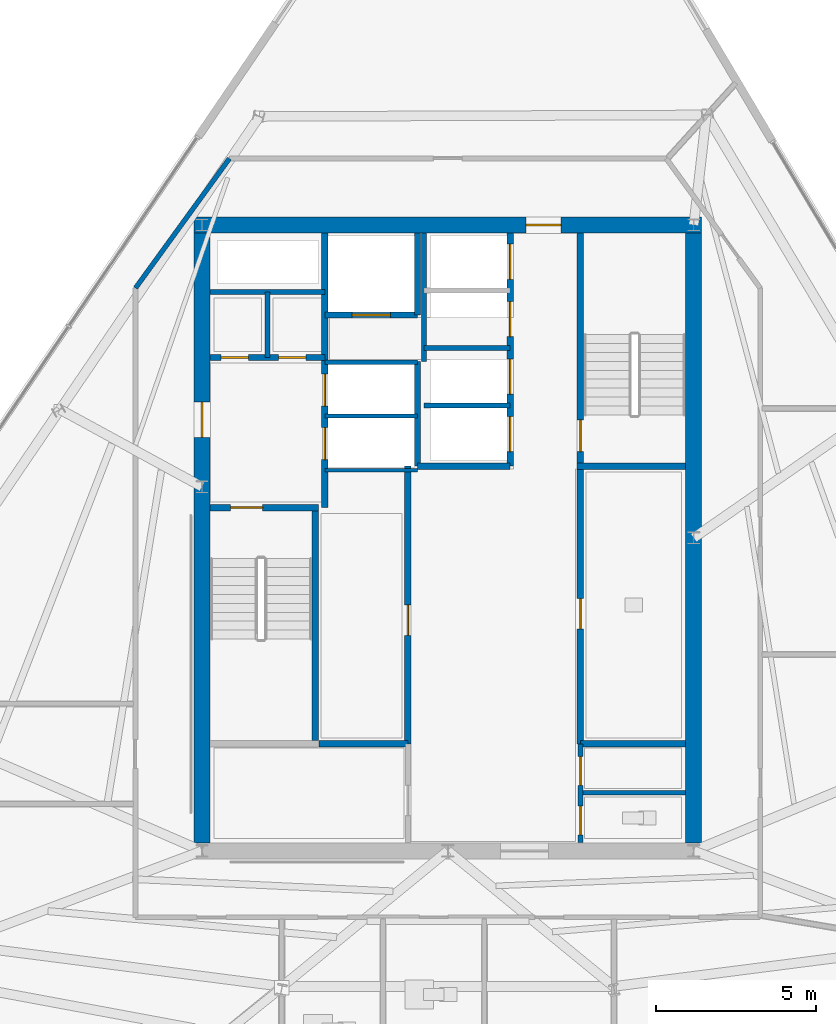
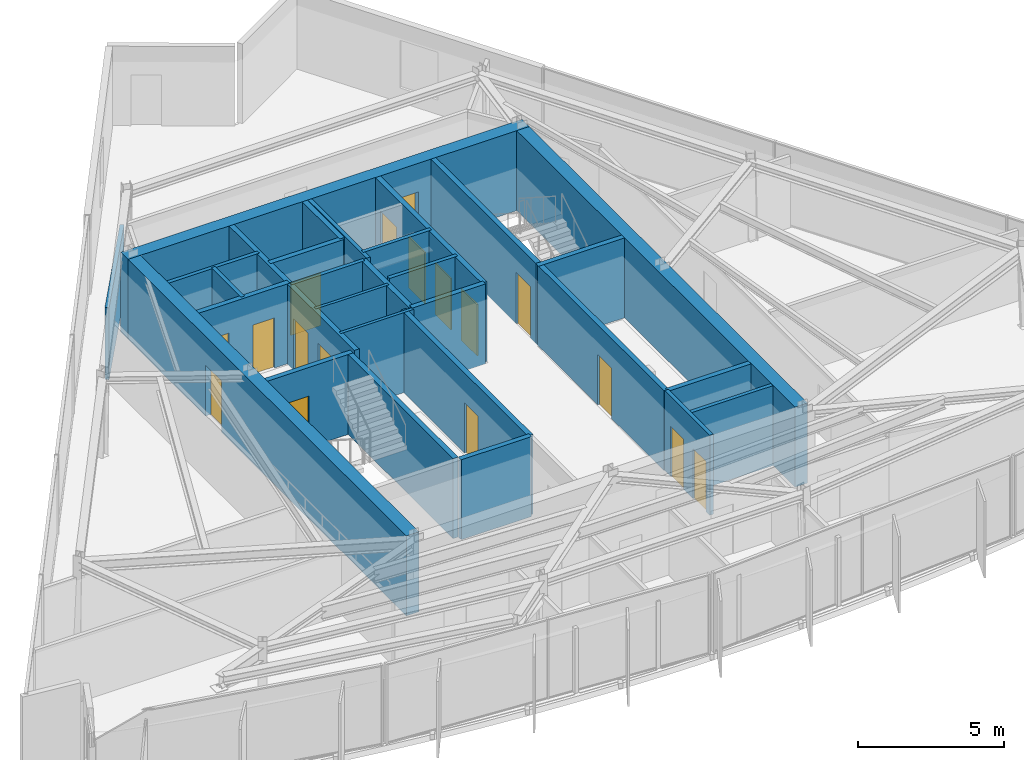
# One storey, part 7 of 12: 29 walls, 17 doors, 17 openings.
"""IFC4 building model written with IfcOpenShell, lengths in metres."""

from ifc_helpers import new_model, si_unit, direction, frame, frame_2d, origin, place, context, subcontext, project, spatial, rectangle, extrude, material, layer, layer_set, type_object, element, fill, save


model = new_model("IFC4")

# Units and contexts
model_context = context("Model", 3, precision=1e-05, world=origin(), true_north=direction((0.0, 1.0)))
body_context = subcontext(model_context, "Body", "Model", "MODEL_VIEW")
ifc_project = project(units=[si_unit("LENGTHUNIT", "METRE"), si_unit("AREAUNIT", "SQUARE_METRE"), si_unit("VOLUMEUNIT", "CUBIC_METRE"), si_unit("PLANEANGLEUNIT", "RADIAN"), si_unit("MASSUNIT", "GRAM", prefix="KILO")], contexts=[model_context])

# Site, building, storey
site_placement = place(None, origin())
site = spatial("IfcSite", under=ifc_project, at=site_placement, CompositionType="ELEMENT")
building_placement = place(site_placement, origin())
building = spatial("IfcBuilding", under=site, at=building_placement, Name="Savorim Split Tower", CompositionType="ELEMENT")
storey_placement = place(building_placement, frame((0.0, 0.0, 268.800048828125)))
storey = spatial("IfcBuildingStorey", under=building, at=storey_placement, Name="L71", CompositionType="ELEMENT", Elevation=268.800048828125)

# Wall, opening, door
ifc_material_1 = material(Name="Concrete C60/75", Category="concrete")
ifc_layer_1 = layer(ifc_material_1, 0.5)
ifc_layer_set_1 = layer_set([ifc_layer_1], Name="WAL-COR-SH500")
wall_type_1 = type_object("IfcWallType", Name="WAL-COR-SH500", PredefinedType="SHEAR", material=ifc_layer_set_1)
wall_1_placement = place(storey_placement, frame((7.949951171875, 10.199951171875, 0.0), z_axis=(0.0, 0.0, 1.0), x_axis=(-1.0, 0.0, 0.0)))
wall_1 = element("IfcWall", 1, at=wall_1_placement, inside=storey, type_object=wall_type_1, Name="L71 Offset Core North Shear Wall", PredefinedType="SHEAR", context=body_context, shape_type="SweptSolid", body=[
    extrude(rectangle(XDim=15.89990234375, YDim=0.5, at=frame_2d((7.949951171875, 0.0))), origin(), (0.0, 0.0, 1.0), 3.349853515625),
])
opening_1_placement = place(wall_1_placement, frame((4.39990234375, 0.0, 0.0)))
opening_1 = element("IfcOpeningElement", 2, at=opening_1_placement, cuts=wall_1, Name="Opening DI-03", PredefinedType="OPENING", context=body_context, shape_type="SweptSolid", body=[
    extrude(rectangle(XDim=1.10009765625, YDim=2.14990234375, at=frame_2d((0.550048828125, 1.074951171875))), frame((0.0, 0.260009765625, 0.0), z_axis=(0.0, -1.0, 0.0), x_axis=(1.0, 0.0, 0.0)), (0.0, 0.0, 1.0), 0.52001953125),
])
ifc_material_2 = material(Name="Timber Fire Door Leaf", Category="wood")
door_type_1 = type_object("IfcDoorType", Name="DOR-FIR-1100", OperationType="NOTDEFINED", PredefinedType="DOOR", material=ifc_material_2)
door_1_placement = place(opening_1_placement, origin())
door_1 = element("IfcDoor", 3, at=door_1_placement, inside=storey, type_object=door_type_1, Name="DOR-L71-COR-NLOB - L71 North Corridor Lobby Fire Door", OperationType="SINGLE_SWING_RIGHT", OverallHeight=2.14990234375, OverallWidth=1.10009765625, PredefinedType="DOOR", context=body_context, shape_type="SweptSolid", body=[
    extrude(rectangle(XDim=1.10009765625, YDim=2.14990234375, at=frame_2d((0.550048828125, 1.074951171875))), frame((0.0, 0.02490234375, 0.0), z_axis=(0.0, -1.0, 0.0), x_axis=(1.0, 0.0, 0.0)), (0.0, 0.0, 1.0), 0.050048828125),
])
fill(opening_1, door_1)

wall_2_placement = place(storey_placement, frame((-7.699951171875, -9.14990234375, 0.0), z_axis=(0.0, 0.0, 1.0), x_axis=(0.0, 1.0, 0.0)))
wall_2 = element("IfcWall", 4, at=wall_2_placement, inside=storey, type_object=wall_type_1, Name="L71 Offset Core West Shear Wall", PredefinedType="SHEAR", context=body_context, shape_type="SweptSolid", body=[
    extrude(rectangle(XDim=19.099853515625, YDim=0.5, at=frame_2d((9.5498046875, 0.0))), origin(), (0.0, 0.0, 1.0), 3.349853515625),
])
opening_2_placement = place(wall_2_placement, frame((12.699951171875, 0.0, 0.0)))
opening_2 = element("IfcOpeningElement", 5, at=opening_2_placement, cuts=wall_2, Name="Opening DI-03", PredefinedType="OPENING", context=body_context, shape_type="SweptSolid", body=[
    extrude(rectangle(XDim=1.10009765625, YDim=2.14990234375, at=frame_2d((0.550048828125, 1.074951171875))), frame((0.0, 0.260009765625, 0.0), z_axis=(0.0, -1.0, 0.0), x_axis=(1.0, 0.0, 0.0)), (0.0, 0.0, 1.0), 0.52001953125),
])
door_2_placement = place(opening_2_placement, origin())
door_2 = element("IfcDoor", 6, at=door_2_placement, inside=storey, type_object=door_type_1, Name="DOR-L71-COR-FFLOB - L71 Firefighting Lobby Corridor Door", OperationType="SINGLE_SWING_LEFT", OverallHeight=2.14990234375, OverallWidth=1.10009765625, PredefinedType="DOOR", context=body_context, shape_type="SweptSolid", body=[
    extrude(rectangle(XDim=1.10009765625, YDim=2.14990234375, at=frame_2d((0.550048828125, 1.074951171875))), frame((0.0, 0.02490234375, 0.0), z_axis=(0.0, -1.0, 0.0), x_axis=(1.0, 0.0, 0.0)), (0.0, 0.0, 1.0), 0.050048828125),
])
fill(opening_2, door_2)

# Wall
wall_3_placement = place(storey_placement, frame((7.699951171875, 9.949951171875, 0.0), z_axis=(0.0, 0.0, 1.0), x_axis=(0.0, -1.0, 0.0)))
element("IfcWall", 7, at=wall_3_placement, inside=storey, type_object=wall_type_1, Name="L71 Offset Core East Shear Wall", PredefinedType="SHEAR", context=body_context, shape_type="SweptSolid", body=[
    extrude(rectangle(XDim=19.099853515625, YDim=0.5, at=frame_2d((9.5498046875, 0.0))), origin(), (0.0, 0.0, 1.0), 3.349853515625),
])

# Wall, opening, door
ifc_material_3 = material(Name="Concrete C50/60", Category="concrete")
ifc_layer_2 = layer(ifc_material_3, 0.199951171875)
ifc_layer_set_2 = layer_set([ifc_layer_2], Name="WAL-INT-RC200")
wall_type_2 = type_object("IfcWallType", Name="WAL-INT-RC200", PredefinedType="SOLIDWALL", material=ifc_layer_set_2)
wall_4_placement = place(storey_placement, frame((-7.449951171875, 1.35009765625, 0.0), z_axis=(0.0, 0.0, 1.0), x_axis=(1.0, 0.0, 0.0)))
wall_4 = element("IfcWall", 8, at=wall_4_placement, inside=storey, type_object=wall_type_2, Name="L71 Structural Shaft Wall W-L71-CR01", PredefinedType="SOLIDWALL", context=body_context, shape_type="SweptSolid", body=[
    extrude(rectangle(XDim=3.39990234375, YDim=0.199951171875, at=frame_2d((1.699951171875, 0.0))), origin(), (0.0, 0.0, 1.0), 3.349853515625),
])
opening_3_placement = place(wall_4_placement, frame((0.64990234375, 0.0, 0.0)))
opening_3 = element("IfcOpeningElement", 9, at=opening_3_placement, cuts=wall_4, Name="Opening DI-04", PredefinedType="OPENING", context=body_context, shape_type="SweptSolid", body=[
    extrude(rectangle(XDim=1.0, YDim=2.14990234375, at=frame_2d((0.5, 1.074951171875))), frame((0.0, 0.10986328125, 0.0), z_axis=(0.0, -1.0, 0.0), x_axis=(1.0, 0.0, 0.0)), (0.0, 0.0, 1.0), 0.219970703125),
])
door_type_2 = type_object("IfcDoorType", Name="DOR-FIR-1000", OperationType="NOTDEFINED", PredefinedType="DOOR", material=ifc_material_2)
door_3_placement = place(opening_3_placement, origin())
door_3 = element("IfcDoor", 10, at=door_3_placement, inside=storey, type_object=door_type_2, Name="DR-L71-ST1 - L71 Stair ST-1 Enclosure Door", OperationType="SINGLE_SWING_LEFT", OverallHeight=2.14990234375, OverallWidth=1.0, PredefinedType="DOOR", context=body_context, shape_type="SweptSolid", body=[
    extrude(rectangle(XDim=1.0, YDim=2.14990234375, at=frame_2d((0.5, 1.074951171875))), frame((0.0, 0.02490234375, 0.0), z_axis=(0.0, -1.0, 0.0), x_axis=(1.0, 0.0, 0.0)), (0.0, 0.0, 1.0), 0.050048828125),
])
fill(opening_3, door_3)

# Wall
wall_5_placement = place(storey_placement, frame((-4.14990234375, -5.949951171875, 0.0), z_axis=(0.0, 0.0, 1.0), x_axis=(0.0, 1.0, 0.0)))
element("IfcWall", 11, at=wall_5_placement, inside=storey, type_object=wall_type_2, Name="L71 Structural Shaft Wall W-L71-CR02", PredefinedType="SOLIDWALL", context=body_context, shape_type="SweptSolid", body=[
    extrude(rectangle(XDim=7.199951171875, YDim=0.199951171875, at=frame_2d((3.60009765625, 0.0))), origin(), (0.0, 0.0, 1.0), 3.349853515625),
])

# Wall, openings, doors
wall_6_placement = place(storey_placement, frame((-3.85009765625, 1.35009765625, 0.0), z_axis=(0.0, 0.0, 1.0), x_axis=(0.0, 1.0, 0.0)))
wall_6 = element("IfcWall", 12, at=wall_6_placement, inside=storey, type_object=wall_type_2, Name="L71 Partition W-L71-CR03", PredefinedType="SOLIDWALL", context=body_context, shape_type="SweptSolid", body=[
    extrude(rectangle(XDim=8.594970703125, YDim=0.199951171875, at=frame_2d((4.29736328125, 0.0))), origin(), (0.0, 0.0, 1.0), 3.349853515625),
])
opening_4_placement = place(wall_6_placement, frame((1.5, 0.0, 0.0)))
opening_4 = element("IfcOpeningElement", 13, at=opening_4_placement, cuts=wall_6, Name="Opening LD-FFL", PredefinedType="OPENING", context=body_context, shape_type="SweptSolid", body=[
    extrude(rectangle(XDim=1.0, YDim=2.14990234375, at=frame_2d((0.5, 1.074951171875))), frame((0.0, 0.10986328125, 0.0), z_axis=(0.0, -1.0, 0.0), x_axis=(1.0, 0.0, 0.0)), (0.0, 0.0, 1.0), 0.219970703125),
])
opening_5_placement = place(wall_6_placement, frame((3.179931640625, 0.0, 0.0)))
opening_5 = element("IfcOpeningElement", 14, at=opening_5_placement, cuts=wall_6, Name="Opening LD-FFL", PredefinedType="OPENING", context=body_context, shape_type="SweptSolid", body=[
    extrude(rectangle(XDim=1.0, YDim=2.14990234375, at=frame_2d((0.5, 1.074951171875))), frame((0.0, 0.10986328125, 0.0), z_axis=(0.0, -1.0, 0.0), x_axis=(1.0, 0.0, 0.0)), (0.0, 0.0, 1.0), 0.219970703125),
])
ifc_material_4 = material(Name="Charcoal Anodised Aluminium", Category="aluminium")
door_type_3 = type_object("IfcDoorType", Name="DOR-SLD-LD1000", OperationType="NOTDEFINED", PredefinedType="DOOR", material=ifc_material_4)
door_4_placement = place(opening_4_placement, origin())
door_4 = element("IfcDoor", 15, at=door_4_placement, inside=storey, type_object=door_type_3, Name="DR-L71-LD-FFL1 - L71 Firefighting Lift FFL-1 Sliding Landing Door", OperationType="DOUBLE_DOOR_SLIDING", OverallHeight=2.14990234375, OverallWidth=1.0, PredefinedType="DOOR", context=body_context, shape_type="SweptSolid", body=[
    extrude(rectangle(XDim=1.0, YDim=2.14990234375, at=frame_2d((0.5, 1.074951171875))), frame((0.0, 0.02490234375, 0.0), z_axis=(0.0, -1.0, 0.0), x_axis=(1.0, 0.0, 0.0)), (0.0, 0.0, 1.0), 0.050048828125),
])
fill(opening_4, door_4)
door_5_placement = place(opening_5_placement, origin())
door_5 = element("IfcDoor", 16, at=door_5_placement, inside=storey, type_object=door_type_3, Name="DR-L71-LD-FFL2 - L71 Firefighting Lift FFL-2 Sliding Landing Door", OperationType="DOUBLE_DOOR_SLIDING", OverallHeight=2.14990234375, OverallWidth=1.0, PredefinedType="DOOR", context=body_context, shape_type="SweptSolid", body=[
    extrude(rectangle(XDim=1.0, YDim=2.14990234375, at=frame_2d((0.5, 1.074951171875))), frame((0.0, 0.02490234375, 0.0), z_axis=(0.0, -1.0, 0.0), x_axis=(1.0, 0.0, 0.0)), (0.0, 0.0, 1.0), 0.050048828125),
])
fill(opening_5, door_5)

wall_7_placement = place(storey_placement, frame((-7.445068359375, 6.050048828125, 0.0), z_axis=(0.0, 0.0, 1.0), x_axis=(1.0, 0.0, 0.0)))
wall_7 = element("IfcWall", 17, at=wall_7_placement, inside=storey, type_object=wall_type_2, Name="L71 Partition W-L71-CR04", PredefinedType="SOLIDWALL", context=body_context, shape_type="SweptSolid", body=[
    extrude(rectangle(XDim=3.594970703125, YDim=0.199951171875, at=frame_2d((1.79736328125, 0.0))), origin(), (0.0, 0.0, 1.0), 3.349853515625),
])
opening_6_placement = place(wall_7_placement, frame((0.344970703125, 0.0, 0.0)))
opening_6 = element("IfcOpeningElement", 18, at=opening_6_placement, cuts=wall_7, Name="Opening DI-12", PredefinedType="OPENING", context=body_context, shape_type="SweptSolid", body=[
    extrude(rectangle(XDim=0.85009765625, YDim=2.10009765625, at=frame_2d((0.425048828125, 1.050048828125))), frame((0.0, 0.10986328125, 0.0), z_axis=(0.0, -1.0, 0.0), x_axis=(1.0, 0.0, 0.0)), (0.0, 0.0, 1.0), 0.219970703125),
])
opening_7_placement = place(wall_7_placement, frame((2.14501953125, 0.0, 0.0)))
opening_7 = element("IfcOpeningElement", 19, at=opening_7_placement, cuts=wall_7, Name="Opening DI-12", PredefinedType="OPENING", context=body_context, shape_type="SweptSolid", body=[
    extrude(rectangle(XDim=0.85009765625, YDim=2.10009765625, at=frame_2d((0.425048828125, 1.050048828125))), frame((0.0, 0.10986328125, 0.0), z_axis=(0.0, -1.0, 0.0), x_axis=(1.0, 0.0, 0.0)), (0.0, 0.0, 1.0), 0.219970703125),
])
ifc_material_5 = material(Name="Galvanised Painted Steel Balustrade", Category="steel")
door_type_4 = type_object("IfcDoorType", Name="DOR-RIS-850", OperationType="NOTDEFINED", PredefinedType="DOOR", material=ifc_material_5)
door_6_placement = place(opening_6_placement, origin())
door_6 = element("IfcDoor", 20, at=door_6_placement, inside=storey, type_object=door_type_4, Name="DR-L71-ELR - L71 Electrical Riser Access Door", OperationType="SINGLE_SWING_RIGHT", OverallHeight=2.10009765625, OverallWidth=0.85009765625, PredefinedType="DOOR", context=body_context, shape_type="SweptSolid", body=[
    extrude(rectangle(XDim=0.85009765625, YDim=2.10009765625, at=frame_2d((0.425048828125, 1.050048828125))), frame((0.0, 0.02490234375, 0.0), z_axis=(0.0, -1.0, 0.0), x_axis=(1.0, 0.0, 0.0)), (0.0, 0.0, 1.0), 0.050048828125),
])
fill(opening_6, door_6)
door_7_placement = place(opening_7_placement, origin())
door_7 = element("IfcDoor", 21, at=door_7_placement, inside=storey, type_object=door_type_4, Name="DR-L71-TLR - L71 Telecom Riser Access Door", OperationType="SINGLE_SWING_LEFT", OverallHeight=2.10009765625, OverallWidth=0.85009765625, PredefinedType="DOOR", context=body_context, shape_type="SweptSolid", body=[
    extrude(rectangle(XDim=0.85009765625, YDim=2.10009765625, at=frame_2d((0.425048828125, 1.050048828125))), frame((0.0, 0.02490234375, 0.0), z_axis=(0.0, -1.0, 0.0), x_axis=(1.0, 0.0, 0.0)), (0.0, 0.0, 1.0), 0.050048828125),
])
fill(opening_7, door_7)

# Wall, opening, door
wall_8_placement = place(storey_placement, frame((4.14990234375, 2.75, 0.0), z_axis=(0.0, 0.0, 1.0), x_axis=(0.0, 1.0, 0.0)))
wall_8 = element("IfcWall", 22, at=wall_8_placement, inside=storey, type_object=wall_type_2, Name="L71 Structural Shaft Wall W-L71-CR07", PredefinedType="SOLIDWALL", context=body_context, shape_type="SweptSolid", body=[
    extrude(rectangle(XDim=7.199951171875, YDim=0.199951171875, at=frame_2d((3.60009765625, 0.0))), origin(), (0.0, 0.0, 1.0), 3.349853515625),
])
opening_8_placement = place(wall_8_placement, frame((0.35009765625, 0.0, 0.0)))
opening_8 = element("IfcOpeningElement", 23, at=opening_8_placement, cuts=wall_8, Name="Opening DI-04", PredefinedType="OPENING", context=body_context, shape_type="SweptSolid", body=[
    extrude(rectangle(XDim=1.0, YDim=2.14990234375, at=frame_2d((0.5, 1.074951171875))), frame((0.0, 0.10986328125, 0.0), z_axis=(0.0, -1.0, 0.0), x_axis=(1.0, 0.0, 0.0)), (0.0, 0.0, 1.0), 0.219970703125),
])
door_8_placement = place(opening_8_placement, origin())
door_8 = element("IfcDoor", 24, at=door_8_placement, inside=storey, type_object=door_type_2, Name="DR-L71-ST2 - L71 Stair ST-2 Enclosure Door", OperationType="SINGLE_SWING_RIGHT", OverallHeight=2.14990234375, OverallWidth=1.0, PredefinedType="DOOR", context=body_context, shape_type="SweptSolid", body=[
    extrude(rectangle(XDim=1.0, YDim=2.14990234375, at=frame_2d((0.5, 1.074951171875))), frame((0.0, 0.02490234375, 0.0), z_axis=(0.0, -1.0, 0.0), x_axis=(1.0, 0.0, 0.0)), (0.0, 0.0, 1.0), 0.050048828125),
])
fill(opening_8, door_8)

# Walls
wall_9_placement = place(storey_placement, frame((4.050048828125, 2.64990234375, 0.0), z_axis=(0.0, 0.0, 1.0), x_axis=(1.0, 0.0, 0.0)))
element("IfcWall", 25, at=wall_9_placement, inside=storey, type_object=wall_type_2, Name="L71 Structural Shaft Wall W-L71-CR08", PredefinedType="SOLIDWALL", context=body_context, shape_type="SweptSolid", body=[
    extrude(rectangle(XDim=3.39990234375, YDim=0.199951171875, at=frame_2d((1.699951171875, 0.0))), origin(), (0.0, 0.0, 1.0), 3.349853515625),
])
wall_10_placement = place(storey_placement, frame((-0.949951171875, 2.64990234375, 0.0), z_axis=(0.0, 0.0, 1.0), x_axis=(0.0, 1.0, 0.0)))
element("IfcWall", 26, at=wall_10_placement, inside=storey, type_object=wall_type_2, Name="L71 Partition W-L71-FFLW", PredefinedType="SOLIDWALL", context=body_context, shape_type="SweptSolid", body=[
    extrude(rectangle(XDim=3.27001953125, YDim=0.199951171875, at=frame_2d((1.635009765625, 0.0))), origin(), (0.0, 0.0, 1.0), 3.349853515625),
])

# Wall, opening, door
wall_11_placement = place(storey_placement, frame((-3.85009765625, 7.3798828125, 0.0), z_axis=(0.0, 0.0, 1.0), x_axis=(1.0, 0.0, 0.0)))
wall_11 = element("IfcWall", 27, at=wall_11_placement, inside=storey, type_object=wall_type_2, Name="L71 Partition W-L71-SVLS", PredefinedType="SOLIDWALL", context=body_context, shape_type="SweptSolid", body=[
    extrude(rectangle(XDim=2.900146484375, YDim=0.199951171875, at=frame_2d((1.4501953125, 0.0))), origin(), (0.0, 0.0, 1.0), 3.349853515625),
])
opening_9_placement = place(wall_11_placement, frame((0.85009765625, 0.0, 0.0)))
opening_9 = element("IfcOpeningElement", 28, at=opening_9_placement, cuts=wall_11, Name="Opening LD-SV", PredefinedType="OPENING", context=body_context, shape_type="SweptSolid", body=[
    extrude(rectangle(XDim=1.199951171875, YDim=2.199951171875, at=frame_2d((0.60009765625, 1.10009765625))), frame((0.0, 0.10986328125, 0.0), z_axis=(0.0, -1.0, 0.0), x_axis=(1.0, 0.0, 0.0)), (0.0, 0.0, 1.0), 0.219970703125),
])
door_type_5 = type_object("IfcDoorType", Name="DOR-SLD-SV1200", OperationType="NOTDEFINED", PredefinedType="DOOR", material=ifc_material_4)
door_9_placement = place(opening_9_placement, origin())
door_9 = element("IfcDoor", 29, at=door_9_placement, inside=storey, type_object=door_type_5, Name="DR-L71-LD-SVL1 - L71 Service Lift SVL-1 Sliding Landing Door", OperationType="DOUBLE_DOOR_SLIDING", OverallHeight=2.199951171875, OverallWidth=1.199951171875, PredefinedType="DOOR", context=body_context, shape_type="SweptSolid", body=[
    extrude(rectangle(XDim=1.199951171875, YDim=2.199951171875, at=frame_2d((0.60009765625, 1.10009765625))), frame((0.0, 0.02490234375, 0.0), z_axis=(0.0, -1.0, 0.0), x_axis=(1.0, 0.0, 0.0)), (0.0, 0.0, 1.0), 0.050048828125),
])
fill(opening_9, door_9)

# Wall
wall_12_placement = place(storey_placement, frame((-0.949951171875, 7.3798828125, 0.0), z_axis=(0.0, 0.0, 1.0), x_axis=(0.0, 1.0, 0.0)))
element("IfcWall", 30, at=wall_12_placement, inside=storey, type_object=wall_type_2, Name="L71 Partition W-L71-SVLE", PredefinedType="SOLIDWALL", context=body_context, shape_type="SweptSolid", body=[
    extrude(rectangle(XDim=2.565185546875, YDim=0.199951171875, at=frame_2d((1.28271484375, 0.0))), origin(), (0.0, 0.0, 1.0), 3.349853515625),
])

# Wall, opening, door
wall_13_placement = place(storey_placement, frame((4.14990234375, -6.050048828125, 0.0), z_axis=(0.0, 0.0, 1.0), x_axis=(0.0, 1.0, 0.0)))
wall_13 = element("IfcWall", 31, at=wall_13_placement, inside=storey, type_object=wall_type_2, Name="L71 Partition W-L71-B1FRONT", PredefinedType="SOLIDWALL", context=body_context, shape_type="SweptSolid", body=[
    extrude(rectangle(XDim=8.699951171875, YDim=0.199951171875, at=frame_2d((4.35009765625, 0.0))), origin(), (0.0, 0.0, 1.0), 3.349853515625),
])
opening_10_placement = place(wall_13_placement, frame((3.60009765625, 0.0, 0.0)))
opening_10 = element("IfcOpeningElement", 32, at=opening_10_placement, cuts=wall_13, Name="Opening DI-05", PredefinedType="OPENING", context=body_context, shape_type="SweptSolid", body=[
    extrude(rectangle(XDim=0.949951171875, YDim=2.10009765625, at=frame_2d((0.47509765625, 1.050048828125))), frame((0.0, 0.10986328125, 0.0), z_axis=(0.0, -1.0, 0.0), x_axis=(1.0, 0.0, 0.0)), (0.0, 0.0, 1.0), 0.219970703125),
])
door_type_6 = type_object("IfcDoorType", Name="DOR-FIR-950", OperationType="NOTDEFINED", PredefinedType="DOOR", material=ifc_material_2)
door_10_placement = place(opening_10_placement, origin())
door_10 = element("IfcDoor", 33, at=door_10_placement, inside=storey, type_object=door_type_6, Name="DR-L71-LV7B1 - L71 Community Laundry Room Door", OperationType="SINGLE_SWING_RIGHT", OverallHeight=2.10009765625, OverallWidth=0.949951171875, PredefinedType="DOOR", context=body_context, shape_type="SweptSolid", body=[
    extrude(rectangle(XDim=0.949951171875, YDim=2.10009765625, at=frame_2d((0.47509765625, 1.050048828125))), frame((0.0, 0.02490234375, 0.0), z_axis=(0.0, -1.0, 0.0), x_axis=(1.0, 0.0, 0.0)), (0.0, 0.0, 1.0), 0.050048828125),
])
fill(opening_10, door_10)

wall_14_placement = place(storey_placement, frame((-1.25, -6.050048828125, 0.0), z_axis=(0.0, 0.0, 1.0), x_axis=(0.0, 1.0, 0.0)))
wall_14 = element("IfcWall", 34, at=wall_14_placement, inside=storey, type_object=wall_type_2, Name="L71 Partition W-L71-B2FRONT", PredefinedType="SOLIDWALL", context=body_context, shape_type="SweptSolid", body=[
    extrude(rectangle(XDim=8.699951171875, YDim=0.199951171875, at=frame_2d((4.35009765625, 0.0))), origin(), (0.0, 0.0, 1.0), 3.349853515625),
])
opening_11_placement = place(wall_14_placement, frame((3.39990234375, 0.0, 0.0)))
opening_11 = element("IfcOpeningElement", 35, at=opening_11_placement, cuts=wall_14, Name="Opening DI-05", PredefinedType="OPENING", context=body_context, shape_type="SweptSolid", body=[
    extrude(rectangle(XDim=0.949951171875, YDim=2.10009765625, at=frame_2d((0.47509765625, 1.050048828125))), frame((0.0, 0.10986328125, 0.0), z_axis=(0.0, -1.0, 0.0), x_axis=(1.0, 0.0, 0.0)), (0.0, 0.0, 1.0), 0.219970703125),
])
door_11_placement = place(opening_11_placement, origin())
door_11 = element("IfcDoor", 36, at=door_11_placement, inside=storey, type_object=door_type_6, Name="DR-L71-LV7B2 - L71 Quiet Study Room Door", OperationType="SINGLE_SWING_LEFT", OverallHeight=2.10009765625, OverallWidth=0.949951171875, PredefinedType="DOOR", context=body_context, shape_type="SweptSolid", body=[
    extrude(rectangle(XDim=0.949951171875, YDim=2.10009765625, at=frame_2d((0.47509765625, 1.050048828125))), frame((0.0, 0.02490234375, 0.0), z_axis=(0.0, -1.0, 0.0), x_axis=(1.0, 0.0, 0.0)), (0.0, 0.0, 1.0), 0.050048828125),
])
fill(opening_11, door_11)

# Wall, openings, doors
wall_15_placement = place(storey_placement, frame((1.949951171875, 2.64990234375, 0.0), z_axis=(0.0, 0.0, 1.0), x_axis=(0.0, 1.0, 0.0)))
wall_15 = element("IfcWall", 37, at=wall_15_placement, inside=storey, type_object=wall_type_2, Name="L71 Partition W-L71-B3FRONT", PredefinedType="SOLIDWALL", context=body_context, shape_type="SweptSolid", body=[
    extrude(rectangle(XDim=7.295166015625, YDim=0.199951171875, at=frame_2d((3.6474609375, 0.0))), origin(), (0.0, 0.0, 1.0), 3.349853515625),
])
opening_12_placement = place(wall_15_placement, frame((0.449951171875, 0.0, 0.0)))
opening_12 = element("IfcOpeningElement", 38, at=opening_12_placement, cuts=wall_15, Name="Opening LD-03", PredefinedType="OPENING", context=body_context, shape_type="SweptSolid", body=[
    extrude(rectangle(XDim=1.10009765625, YDim=2.14990234375, at=frame_2d((0.550048828125, 1.074951171875))), frame((0.0, 0.10986328125, 0.0), z_axis=(0.0, -1.0, 0.0), x_axis=(1.0, 0.0, 0.0)), (0.0, 0.0, 1.0), 0.219970703125),
])
opening_13_placement = place(wall_15_placement, frame((2.25, 0.0, 0.0)))
opening_13 = element("IfcOpeningElement", 39, at=opening_13_placement, cuts=wall_15, Name="Opening LD-03", PredefinedType="OPENING", context=body_context, shape_type="SweptSolid", body=[
    extrude(rectangle(XDim=1.10009765625, YDim=2.14990234375, at=frame_2d((0.550048828125, 1.074951171875))), frame((0.0, 0.10986328125, 0.0), z_axis=(0.0, -1.0, 0.0), x_axis=(1.0, 0.0, 0.0)), (0.0, 0.0, 1.0), 0.219970703125),
])
opening_14_placement = place(wall_15_placement, frame((4.050048828125, 0.0, 0.0)))
opening_14 = element("IfcOpeningElement", 40, at=opening_14_placement, cuts=wall_15, Name="Opening LD-03", PredefinedType="OPENING", context=body_context, shape_type="SweptSolid", body=[
    extrude(rectangle(XDim=1.10009765625, YDim=2.14990234375, at=frame_2d((0.550048828125, 1.074951171875))), frame((0.0, 0.10986328125, 0.0), z_axis=(0.0, -1.0, 0.0), x_axis=(1.0, 0.0, 0.0)), (0.0, 0.0, 1.0), 0.219970703125),
])
opening_15_placement = place(wall_15_placement, frame((5.85009765625, 0.0, 0.0)))
opening_15 = element("IfcOpeningElement", 41, at=opening_15_placement, cuts=wall_15, Name="Opening LD-03", PredefinedType="OPENING", context=body_context, shape_type="SweptSolid", body=[
    extrude(rectangle(XDim=1.10009765625, YDim=2.14990234375, at=frame_2d((0.550048828125, 1.074951171875))), frame((0.0, 0.10986328125, 0.0), z_axis=(0.0, -1.0, 0.0), x_axis=(1.0, 0.0, 0.0)), (0.0, 0.0, 1.0), 0.219970703125),
])
door_type_7 = type_object("IfcDoorType", Name="DOR-SLD-LDH1100", OperationType="NOTDEFINED", PredefinedType="DOOR", material=ifc_material_4)
door_12_placement = place(opening_12_placement, origin())
door_12 = element("IfcDoor", 42, at=door_12_placement, inside=storey, type_object=door_type_7, Name="DR-L71-LD-PLH1 - L71 Lift PL-H1 Sliding Landing Door", OperationType="DOUBLE_DOOR_SLIDING", OverallHeight=2.14990234375, OverallWidth=1.10009765625, PredefinedType="DOOR", context=body_context, shape_type="SweptSolid", body=[
    extrude(rectangle(XDim=1.10009765625, YDim=2.14990234375, at=frame_2d((0.550048828125, 1.074951171875))), frame((0.0, 0.02490234375, 0.0), z_axis=(0.0, -1.0, 0.0), x_axis=(1.0, 0.0, 0.0)), (0.0, 0.0, 1.0), 0.050048828125),
])
fill(opening_12, door_12)
door_13_placement = place(opening_13_placement, origin())
door_13 = element("IfcDoor", 43, at=door_13_placement, inside=storey, type_object=door_type_7, Name="DR-L71-LD-PLH2 - L71 Lift PL-H2 Sliding Landing Door", OperationType="DOUBLE_DOOR_SLIDING", OverallHeight=2.14990234375, OverallWidth=1.10009765625, PredefinedType="DOOR", context=body_context, shape_type="SweptSolid", body=[
    extrude(rectangle(XDim=1.10009765625, YDim=2.14990234375, at=frame_2d((0.550048828125, 1.074951171875))), frame((0.0, 0.02490234375, 0.0), z_axis=(0.0, -1.0, 0.0), x_axis=(1.0, 0.0, 0.0)), (0.0, 0.0, 1.0), 0.050048828125),
])
fill(opening_13, door_13)
door_14_placement = place(opening_14_placement, origin())
door_14 = element("IfcDoor", 44, at=door_14_placement, inside=storey, type_object=door_type_7, Name="DR-L71-LD-PLH3 - L71 Lift PL-H3 Sliding Landing Door", OperationType="DOUBLE_DOOR_SLIDING", OverallHeight=2.14990234375, OverallWidth=1.10009765625, PredefinedType="DOOR", context=body_context, shape_type="SweptSolid", body=[
    extrude(rectangle(XDim=1.10009765625, YDim=2.14990234375, at=frame_2d((0.550048828125, 1.074951171875))), frame((0.0, 0.02490234375, 0.0), z_axis=(0.0, -1.0, 0.0), x_axis=(1.0, 0.0, 0.0)), (0.0, 0.0, 1.0), 0.050048828125),
])
fill(opening_14, door_14)
door_15_placement = place(opening_15_placement, origin())
door_15 = element("IfcDoor", 45, at=door_15_placement, inside=storey, type_object=door_type_7, Name="DR-L71-LD-PLH4 - L71 Lift PL-H4 Sliding Landing Door", OperationType="DOUBLE_DOOR_SLIDING", OverallHeight=2.14990234375, OverallWidth=1.10009765625, PredefinedType="DOOR", context=body_context, shape_type="SweptSolid", body=[
    extrude(rectangle(XDim=1.10009765625, YDim=2.14990234375, at=frame_2d((0.550048828125, 1.074951171875))), frame((0.0, 0.02490234375, 0.0), z_axis=(0.0, -1.0, 0.0), x_axis=(1.0, 0.0, 0.0)), (0.0, 0.0, 1.0), 0.050048828125),
])
fill(opening_15, door_15)

# Walls
wall_16_placement = place(storey_placement, frame((-0.949951171875, 2.64990234375, 0.0), z_axis=(0.0, 0.0, 1.0), x_axis=(1.0, 0.0, 0.0)))
element("IfcWall", 46, at=wall_16_placement, inside=storey, type_object=wall_type_2, Name="L71 Partition W-L71-B3SOUTH", PredefinedType="SOLIDWALL", context=body_context, shape_type="SweptSolid", body=[
    extrude(rectangle(XDim=2.89990234375, YDim=0.199951171875, at=frame_2d((1.449951171875, 0.0))), origin(), (0.0, 0.0, 1.0), 3.349853515625),
])
wall_17_placement = place(storey_placement, frame((-4.0400390625, -6.050048828125, 0.0), z_axis=(0.0, 0.0, 1.0), x_axis=(1.0, 0.0, 0.0)))
element("IfcWall", 47, at=wall_17_placement, inside=storey, type_object=wall_type_2, Name="L71 Partition W-L71-KSEP-W2", PredefinedType="SOLIDWALL", context=body_context, shape_type="SweptSolid", body=[
    extrude(rectangle(XDim=2.7900390625, YDim=0.199951171875, at=frame_2d((1.39501953125, 0.0))), origin(), (0.0, 0.0, 1.0), 3.349853515625),
])
wall_18_placement = place(storey_placement, frame((4.14990234375, -6.050048828125, 0.0), z_axis=(0.0, 0.0, 1.0), x_axis=(1.0, 0.0, 0.0)))
element("IfcWall", 48, at=wall_18_placement, inside=storey, type_object=wall_type_2, Name="L71 Partition W-L71-KSEP-E", PredefinedType="SOLIDWALL", context=body_context, shape_type="SweptSolid", body=[
    extrude(rectangle(XDim=3.295166015625, YDim=0.199951171875, at=frame_2d((1.6474609375, 0.0))), origin(), (0.0, 0.0, 1.0), 3.349853515625),
])
ifc_material_6 = material(Name="Acoustic Gypsum Partition Board")
ifc_layer_3 = layer(ifc_material_6, 0.1201171875)
ifc_layer_set_3 = layer_set([ifc_layer_3], Name="WAL-PAR-120")
wall_type_3 = type_object("IfcWallType", Name="WAL-PAR-120", PredefinedType="PARTITIONING", material=ifc_layer_set_3)
for number, where, z_axis, x_axis, name in (
    (49, (-3.85009765625, 2.52001953125, 0.0), (0.0, 0.0, 1.0), (1.0, 0.0, 0.0), "L71 Partition W-L71-FFLD0"),
    (50, (-3.85009765625, 4.219970703125, 0.0), (0.0, 0.0, 1.0), (1.0, 0.0, 0.0), "L71 Partition W-L71-FFLD1"),
):
    element("IfcWall", number, at=place(storey_placement, frame(where, z_axis=z_axis, x_axis=x_axis)), inside=storey, type_object=wall_type_3, Name=name, PredefinedType="PARTITIONING", context=body_context, shape_type="SweptSolid", body=[
        extrude(rectangle(XDim=2.900146484375, YDim=0.1201171875, at=frame_2d((1.4501953125, 0.0))), origin(), (0.0, 0.0, 1.0), 3.349853515625),
    ])
ifc_layer_4 = layer(ifc_material_6, 0.14990234375)
ifc_layer_set_4 = layer_set([ifc_layer_4], Name="WAL-PAR-150")
wall_type_4 = type_object("IfcWallType", Name="WAL-PAR-150", PredefinedType="PARTITIONING", material=ifc_layer_set_4)
wall_19_placement = place(storey_placement, frame((-7.445068359375, 8.10009765625, 0.0), z_axis=(0.0, 0.0, 1.0), x_axis=(1.0, 0.0, 0.0)))
element("IfcWall", 51, at=wall_19_placement, inside=storey, type_object=wall_type_4, Name="L71 Partition W-L71-CR05", PredefinedType="PARTITIONING", context=body_context, shape_type="SweptSolid", body=[
    extrude(rectangle(XDim=3.594970703125, YDim=0.14990234375, at=frame_2d((1.79736328125, 0.0))), origin(), (0.0, 0.0, 1.0), 3.349853515625),
])
wall_20_placement = place(storey_placement, frame((-5.64990234375, 6.050048828125, 0.0), z_axis=(0.0, 0.0, 1.0), x_axis=(0.0, 1.0, 0.0)))
element("IfcWall", 52, at=wall_20_placement, inside=storey, type_object=wall_type_4, Name="L71 Partition W-L71-CR06", PredefinedType="PARTITIONING", context=body_context, shape_type="SweptSolid", body=[
    extrude(rectangle(XDim=2.050048828125, YDim=0.14990234375, at=frame_2d((1.02490234375, 0.0))), origin(), (0.0, 0.0, 1.0), 3.349853515625),
])
wall_21_placement = place(storey_placement, frame((-3.85009765625, 5.89990234375, 0.0), z_axis=(0.0, 0.0, 1.0), x_axis=(1.0, 0.0, 0.0)))
element("IfcWall", 53, at=wall_21_placement, inside=storey, type_object=wall_type_4, Name="L71 Partition W-L71-FFLD2", PredefinedType="PARTITIONING", context=body_context, shape_type="SweptSolid", body=[
    extrude(rectangle(XDim=2.900146484375, YDim=0.14990234375, at=frame_2d((1.4501953125, 0.0))), origin(), (0.0, 0.0, 1.0), 3.349853515625),
])
wall_22_placement = place(storey_placement, frame((-0.75, 5.919921875, 0.0), z_axis=(0.0, 0.0, 1.0), x_axis=(0.0, 1.0, 0.0)))
element("IfcWall", 54, at=wall_22_placement, inside=storey, type_object=wall_type_4, Name="L71 Partition W-L71-B3WEST", PredefinedType="PARTITIONING", context=body_context, shape_type="SweptSolid", body=[
    extrude(rectangle(XDim=4.025146484375, YDim=0.14990234375, at=frame_2d((2.0126953125, 0.0))), origin(), (0.0, 0.0, 1.0), 3.349853515625),
])
for number, where, z_axis, x_axis, name in (
    (55, (-0.75, 4.550048828125, 0.0), (0.0, 0.0, 1.0), (1.0, 0.0, 0.0), "L71 Partition W-L71-B3DIV1"),
    (56, (-0.75, 6.35009765625, 0.0), (0.0, 0.0, 1.0), (1.0, 0.0, 0.0), "L71 Partition W-L71-B3DIV2"),
):
    element("IfcWall", number, at=place(storey_placement, frame(where, z_axis=z_axis, x_axis=x_axis)), inside=storey, type_object=wall_type_4, Name=name, PredefinedType="PARTITIONING", context=body_context, shape_type="SweptSolid", body=[
        extrude(rectangle(XDim=2.699951171875, YDim=0.14990234375, at=frame_2d((1.35009765625, 0.0))), origin(), (0.0, 0.0, 1.0), 3.349853515625),
    ])

# Wall, openings, doors
wall_23_placement = place(storey_placement, frame((4.14990234375, -9.14501953125, 0.0), z_axis=(0.0, 0.0, 1.0), x_axis=(0.0, 1.0, 0.0)))
wall_23 = element("IfcWall", 57, at=wall_23_placement, inside=storey, type_object=wall_type_4, Name="L71 Partition W-L71-KLOB-E", PredefinedType="PARTITIONING", context=body_context, shape_type="SweptSolid", body=[
    extrude(rectangle(XDim=3.094970703125, YDim=0.14990234375, at=frame_2d((1.54736328125, 0.0))), origin(), (0.0, 0.0, 1.0), 3.349853515625),
])
opening_16_placement = place(wall_23_placement, frame((0.2451171875, 0.0, 0.0)))
opening_16 = element("IfcOpeningElement", 58, at=opening_16_placement, cuts=wall_23, Name="Opening DI-11", PredefinedType="OPENING", context=body_context, shape_type="SweptSolid", body=[
    extrude(rectangle(XDim=0.89990234375, YDim=2.10009765625, at=frame_2d((0.449951171875, 1.050048828125))), frame((0.0, 0.0849609375, 0.0), z_axis=(0.0, -1.0, 0.0), x_axis=(1.0, 0.0, 0.0)), (0.0, 0.0, 1.0), 0.169921875),
])
opening_17_placement = place(wall_23_placement, frame((1.794921875, 0.0, 0.0)))
opening_17 = element("IfcOpeningElement", 59, at=opening_17_placement, cuts=wall_23, Name="Opening DI-06", PredefinedType="OPENING", context=body_context, shape_type="SweptSolid", body=[
    extrude(rectangle(XDim=0.89990234375, YDim=2.10009765625, at=frame_2d((0.449951171875, 1.050048828125))), frame((0.0, 0.0849609375, 0.0), z_axis=(0.0, -1.0, 0.0), x_axis=(1.0, 0.0, 0.0)), (0.0, 0.0, 1.0), 0.169921875),
])
door_type_8 = type_object("IfcDoorType", Name="DOR-FIR-900", OperationType="NOTDEFINED", PredefinedType="DOOR", material=ifc_material_2)
door_16_placement = place(opening_17_placement, origin())
door_16 = element("IfcDoor", 60, at=door_16_placement, inside=storey, type_object=door_type_8, Name="DR-L71-K3LCK - L71 Cleaning Store Door", OperationType="SINGLE_SWING_LEFT", OverallHeight=2.10009765625, OverallWidth=0.89990234375, PredefinedType="DOOR", context=body_context, shape_type="SweptSolid", body=[
    extrude(rectangle(XDim=0.89990234375, YDim=2.10009765625, at=frame_2d((0.449951171875, 1.050048828125))), frame((0.0, 0.02490234375, 0.0), z_axis=(0.0, -1.0, 0.0), x_axis=(1.0, 0.0, 0.0)), (0.0, 0.0, 1.0), 0.050048828125),
])
fill(opening_17, door_16)
ifc_material_7 = material(Name="Oak Veneer Acoustic Door")
door_type_9 = type_object("IfcDoorType", Name="DOR-WC-900", OperationType="NOTDEFINED", PredefinedType="DOOR", material=ifc_material_7)
door_17_placement = place(opening_16_placement, origin())
door_17 = element("IfcDoor", 61, at=door_17_placement, inside=storey, type_object=door_type_9, Name="DR-L71-K3AWC - L71 Core Accessible WC Door", OperationType="SINGLE_SWING_RIGHT", OverallHeight=2.10009765625, OverallWidth=0.89990234375, PredefinedType="DOOR", context=body_context, shape_type="SweptSolid", body=[
    extrude(rectangle(XDim=0.89990234375, YDim=2.10009765625, at=frame_2d((0.449951171875, 1.050048828125))), frame((0.0, 0.02490234375, 0.0), z_axis=(0.0, -1.0, 0.0), x_axis=(1.0, 0.0, 0.0)), (0.0, 0.0, 1.0), 0.050048828125),
])
fill(opening_16, door_17)

# Walls
wall_24_placement = place(storey_placement, frame((4.14990234375, -7.580078125, 0.0), z_axis=(0.0, 0.0, 1.0), x_axis=(1.0, 0.0, 0.0)))
element("IfcWall", 62, at=wall_24_placement, inside=storey, type_object=wall_type_4, Name="L71 Partition W-L71-K3H", PredefinedType="PARTITIONING", context=body_context, shape_type="SweptSolid", body=[
    extrude(rectangle(XDim=3.295166015625, YDim=0.14990234375, at=frame_2d((1.6474609375, 0.0))), origin(), (0.0, 0.0, 1.0), 3.349853515625),
])
wall_25_placement = place(storey_placement, frame((-9.780029296875, 8.225830078125, 0.0), z_axis=(0.0, 0.0, 1.0), x_axis=(0.586956386413, 0.809618552436, 0.0)))
element("IfcWall", 63, at=wall_25_placement, inside=storey, type_object=wall_type_4, Name="L71 Partition W-L71-COR-02", PredefinedType="PARTITIONING", context=body_context, shape_type="SweptSolid", body=[
    extrude(rectangle(XDim=5.007568359375, YDim=0.14990234375, at=frame_2d((2.50390625, 0.0))), origin(), (0.0, 0.0, 1.0), 3.014892578125),
])

save(model, "model.ifc")
